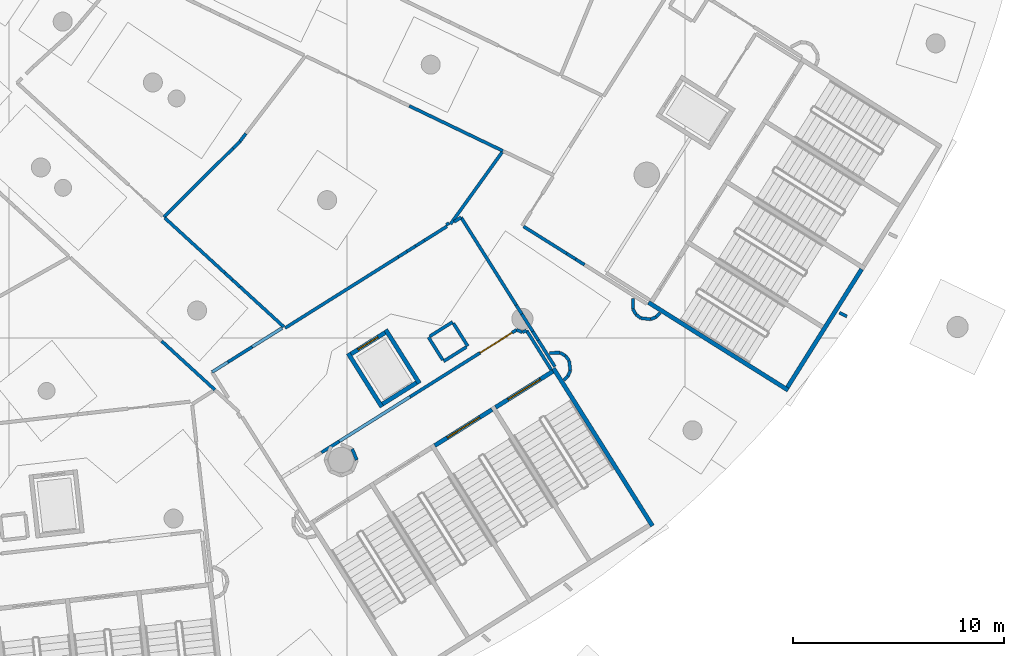
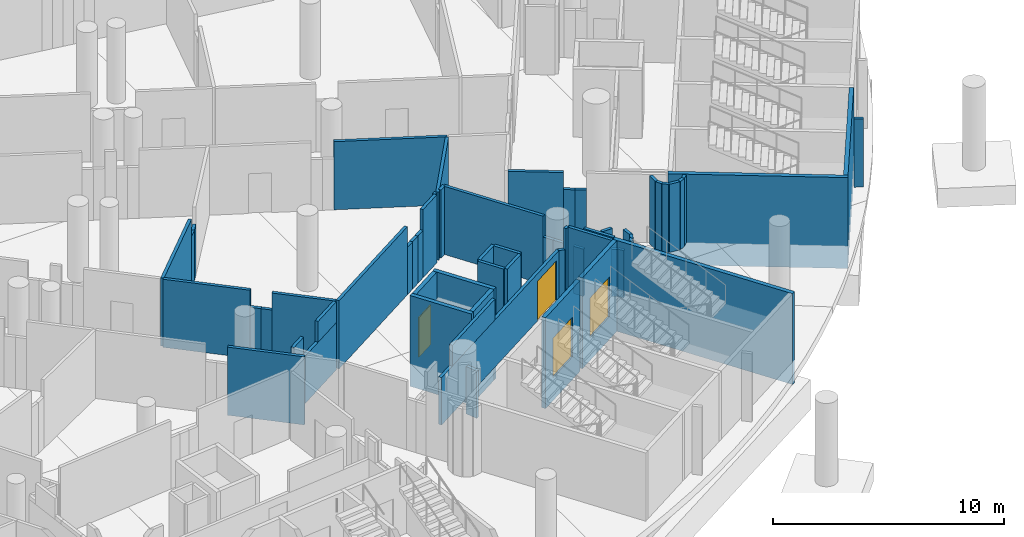
# One storey, part 57 of 142: 60 walls, 4 doors, 4 openings.
"""IFC4 building model written with IfcOpenShell, lengths in metres."""

from ifc_helpers import new_model, si_unit, direction, frame, frame_2d, origin, place, context, subcontext, project, spatial, rectangle, extrude, material, layer, layer_set, type_object, element, fill, save


model = new_model("IFC4")

# Units and contexts
model_context = context("Model", 3, precision=1e-05, world=origin(), true_north=direction((0.0, 1.0)))
body_context = subcontext(model_context, "Body", "Model", "MODEL_VIEW")
ifc_project = project(units=[si_unit("LENGTHUNIT", "METRE"), si_unit("AREAUNIT", "SQUARE_METRE"), si_unit("VOLUMEUNIT", "CUBIC_METRE"), si_unit("PLANEANGLEUNIT", "RADIAN"), si_unit("MASSUNIT", "GRAM", prefix="KILO")], contexts=[model_context])

# Site, building, storey
site_placement = place(None, origin())
site = spatial("IfcSite", under=ifc_project, at=site_placement, CompositionType="ELEMENT")
building_placement = place(site_placement, origin())
building = spatial("IfcBuilding", under=site, at=building_placement, Name="Meseta Stadium", CompositionType="ELEMENT")
storey_placement = place(building_placement, frame((0.0, 0.0, -4.0)))
storey = spatial("IfcBuildingStorey", under=building, at=storey_placement, Name="B1", CompositionType="ELEMENT", Elevation=-4.0)

# Wall
ifc_material_1 = material(Name="Concrete C40/50", Category="concrete")
ifc_layer_1 = layer(ifc_material_1, 0.199951171875)
ifc_layer_set_1 = layer_set([ifc_layer_1], Name="Core shaft wall 200")
wall_type_1 = type_object("IfcWallType", Name="Core shaft wall 200", PredefinedType="SHEAR", material=ifc_layer_set_1)
wall_1_placement = place(storey_placement, frame((78.4658203125, -88.8876953125, -1.199951171875), z_axis=(0.0, 0.0, 1.0), x_axis=(-0.532032334759, 0.846724036963, 0.0)))
element("IfcWall", 1, at=wall_1_placement, inside=storey, type_object=wall_type_1, Name="Core 27 B1 stair wall B-side", PredefinedType="SHEAR", context=body_context, shape_type="SweptSolid", body=[
    extrude(rectangle(XDim=8.800048828125, YDim=0.199951171875, at=frame_2d((4.39990234375, 0.0))), origin(), (0.0, 0.0, 1.0), 4.800048828125),
])

# Wall, opening, door
wall_2_placement = place(storey_placement, frame((68.1640625, -85.0859375, -1.199951171875), z_axis=(0.0, 0.0, 1.0), x_axis=(0.84670136309, 0.53206841829, 0.0)))
wall_2 = element("IfcWall", 2, at=wall_2_placement, inside=storey, type_object=wall_type_1, Name="Core 27 B1 stair B1 inner end wall", PredefinedType="SHEAR", context=body_context, shape_type="SweptSolid", body=[
    extrude(rectangle(XDim=3.199951171875, YDim=0.199951171875, at=frame_2d((1.60009765625, 0.0))), origin(), (0.0, 0.0, 1.0), 4.800048828125),
])
opening_1_placement = place(wall_2_placement, frame((0.699951171875, 0.0, 1.199951171875)))
opening_1 = element("IfcOpeningElement", 3, at=opening_1_placement, cuts=wall_2, Name="Opening D355", PredefinedType="OPENING", context=body_context, shape_type="SweptSolid", body=[
    extrude(rectangle(XDim=1.800048828125, YDim=2.10009765625, at=frame_2d((0.89990234375, 1.050048828125))), frame((0.0, 0.10986328125, 0.0), z_axis=(0.0, -1.0, 0.0), x_axis=(1.0, 0.0, 0.0)), (0.0, 0.0, 1.0), 0.219970703125),
])
ifc_material_2 = material(Name="Steel", Category="steel")
door_type_1 = type_object("IfcDoorType", Name="Stair door 1800x2100", OperationType="DOUBLE_DOOR_SINGLE_SWING", PredefinedType="DOOR", material=ifc_material_2)
door_1_placement = place(opening_1_placement, origin())
door_1 = element("IfcDoor", 4, at=door_1_placement, inside=storey, type_object=door_type_1, Name="Stair B1 door 27 B1", OperationType="DOUBLE_DOOR_SINGLE_SWING", OverallHeight=2.10009765625, OverallWidth=1.800048828125, PredefinedType="DOOR", context=body_context, shape_type="SweptSolid", body=[
    extrude(rectangle(XDim=1.800048828125, YDim=2.10009765625, at=frame_2d((0.89990234375, 1.050048828125))), frame((0.0, 0.02490234375, 0.0), z_axis=(0.0, -1.0, 0.0), x_axis=(1.0, 0.0, 0.0)), (0.0, 0.0, 1.0), 0.050048828125),
])
fill(opening_1, door_1)

wall_3_placement = place(storey_placement, frame((71.04296875, -83.27685546875, -1.199951171875), z_axis=(0.0, 0.0, 1.0), x_axis=(0.846735733015, 0.532013720158, 0.0)))
wall_3 = element("IfcWall", 5, at=wall_3_placement, inside=storey, type_object=wall_type_1, Name="Core 27 B1 stair B2 inner end wall", PredefinedType="SHEAR", context=body_context, shape_type="SweptSolid", body=[
    extrude(rectangle(XDim=3.199951171875, YDim=0.199951171875, at=frame_2d((1.60009765625, 0.0))), origin(), (0.0, 0.0, 1.0), 4.800048828125),
])
opening_2_placement = place(wall_3_placement, frame((0.699951171875, 0.0, 1.199951171875)))
opening_2 = element("IfcOpeningElement", 6, at=opening_2_placement, cuts=wall_3, Name="Opening D356", PredefinedType="OPENING", context=body_context, shape_type="SweptSolid", body=[
    extrude(rectangle(XDim=1.800048828125, YDim=2.10009765625, at=frame_2d((0.89990234375, 1.050048828125))), frame((0.0, 0.10986328125, 0.0), z_axis=(0.0, -1.0, 0.0), x_axis=(1.0, 0.0, 0.0)), (0.0, 0.0, 1.0), 0.219970703125),
])
door_2_placement = place(opening_2_placement, origin())
door_2 = element("IfcDoor", 7, at=door_2_placement, inside=storey, type_object=door_type_1, Name="Stair B2 door 27 B1", OperationType="DOUBLE_DOOR_SINGLE_SWING", OverallHeight=2.10009765625, OverallWidth=1.800048828125, PredefinedType="DOOR", context=body_context, shape_type="SweptSolid", body=[
    extrude(rectangle(XDim=1.800048828125, YDim=2.10009765625, at=frame_2d((0.89990234375, 1.050048828125))), frame((0.0, 0.02490234375, 0.0), z_axis=(0.0, -1.0, 0.0), x_axis=(1.0, 0.0, 0.0)), (0.0, 0.0, 1.0), 0.050048828125),
])
fill(opening_2, door_2)

# Walls
wall_4_placement = place(storey_placement, frame((65.658935546875, -83.260498046875, -1.199951171875), z_axis=(0.0, 0.0, 1.0), x_axis=(-0.532074873955, 0.846697306306, 0.0)))
element("IfcWall", 8, at=wall_4_placement, inside=storey, type_object=wall_type_1, Name="Core 27 B1 lift shaft wall left", PredefinedType="SHEAR", context=body_context, shape_type="SweptSolid", body=[
    extrude(rectangle(XDim=3.0, YDim=0.199951171875, at=frame_2d((1.5, 0.0))), origin(), (0.0, 0.0, 1.0), 4.800048828125),
])
wall_5_placement = place(storey_placement, frame((67.43701171875, -82.143310546875, -1.199951171875), z_axis=(0.0, 0.0, 1.0), x_axis=(-0.532038212918, 0.84672034344, 0.0)))
element("IfcWall", 9, at=wall_5_placement, inside=storey, type_object=wall_type_1, Name="Core 27 B1 lift shaft wall right", PredefinedType="SHEAR", context=body_context, shape_type="SweptSolid", body=[
    extrude(rectangle(XDim=3.000244140625, YDim=0.199951171875, at=frame_2d((1.5, 0.0))), origin(), (0.0, 0.0, 1.0), 4.800048828125),
])
wall_6_placement = place(storey_placement, frame((65.6904296875, -83.122802734375, -1.199951171875), z_axis=(0.0, 0.0, 1.0), x_axis=(0.846674592738, 0.532111016623, 0.0)))
element("IfcWall", 10, at=wall_6_placement, inside=storey, type_object=wall_type_1, Name="Core 27 B1 lift shaft back wall", PredefinedType="SHEAR", context=body_context, shape_type="SweptSolid", body=[
    extrude(rectangle(XDim=1.89990234375, YDim=0.199951171875, at=frame_2d((0.949951171875, 0.0))), origin(), (0.0, 0.0, 1.0), 4.800048828125),
])

# Wall, opening, door
wall_7_placement = place(storey_placement, frame((64.20068359375, -80.751708984375, -1.199951171875), z_axis=(0.0, 0.0, 1.0), x_axis=(0.846768850524, 0.531961007765, 0.0)))
wall_7 = element("IfcWall", 11, at=wall_7_placement, inside=storey, type_object=wall_type_1, Name="Core 27 B1 lift shaft front wall", PredefinedType="SHEAR", context=body_context, shape_type="SweptSolid", body=[
    extrude(rectangle(XDim=1.900146484375, YDim=0.199951171875, at=frame_2d((0.9501953125, 0.0))), origin(), (0.0, 0.0, 1.0), 4.800048828125),
])
opening_3_placement = place(wall_7_placement, frame((0.39990234375, 0.0, 1.199951171875)))
opening_3 = element("IfcOpeningElement", 12, at=opening_3_placement, cuts=wall_7, Name="Opening LD146", PredefinedType="OPENING", context=body_context, shape_type="SweptSolid", body=[
    extrude(rectangle(XDim=1.10009765625, YDim=2.10009765625, at=frame_2d((0.550048828125, 1.050048828125))), frame((0.0, 0.10986328125, 0.0), z_axis=(0.0, -1.0, 0.0), x_axis=(1.0, 0.0, 0.0)), (0.0, 0.0, 1.0), 0.219970703125),
])
ifc_material_3 = material(Name="Steel", Category="steel")
door_type_2 = type_object("IfcDoorType", Name="Lift landing door 1100x2100", OperationType="SLIDING_TO_LEFT", PredefinedType="DOOR", material=ifc_material_3)
door_3_placement = place(opening_3_placement, origin())
door_3 = element("IfcDoor", 13, at=door_3_placement, inside=storey, type_object=door_type_2, Name="Lift landing door LD146", OperationType="SLIDING_TO_RIGHT", OverallHeight=2.10009765625, OverallWidth=1.10009765625, PredefinedType="DOOR", context=body_context, shape_type="SweptSolid", body=[
    extrude(rectangle(XDim=1.10009765625, YDim=2.10009765625, at=frame_2d((0.550048828125, 1.050048828125))), frame((0.0, 0.02490234375, 0.0), z_axis=(0.0, -1.0, 0.0), x_axis=(1.0, 0.0, 0.0)), (0.0, 0.0, 1.0), 0.050048828125),
])
fill(opening_3, door_3)

# Walls
wall_8_placement = place(storey_placement, frame((84.8876953125, -82.4658203125, -1.199951171875), z_axis=(0.0, 0.0, 1.0), x_axis=(-0.846722763703, 0.532034361135, 0.0)))
element("IfcWall", 14, at=wall_8_placement, inside=storey, type_object=wall_type_1, Name="Core 28 B1 stair wall A-side", PredefinedType="SHEAR", context=body_context, shape_type="SweptSolid", body=[
    extrude(rectangle(XDim=7.800048828125, YDim=0.199951171875, at=frame_2d((3.89990234375, 0.0))), origin(), (0.0, 0.0, 1.0), 4.800048828125),
])
wall_9_placement = place(storey_placement, frame((84.856201171875, -82.327880859375, -1.199951171875), z_axis=(0.0, 0.0, 1.0), x_axis=(0.532038964807, 0.846719870989, 0.0)))
element("IfcWall", 15, at=wall_9_placement, inside=storey, type_object=wall_type_1, Name="Core 28 B1 stair A outer end wall", PredefinedType="SHEAR", context=body_context, shape_type="SweptSolid", body=[
    extrude(rectangle(XDim=6.60009765625, YDim=0.199951171875, at=frame_2d((3.300048828125, 0.0))), origin(), (0.0, 0.0, 1.0), 4.800048828125),
])
ifc_material_4 = material(Name="Masonry blockwork", Category="masonry")
ifc_layer_2 = layer(ifc_material_4, 0.14990234375)
ifc_layer_set_2 = layer_set([ifc_layer_2], Name="Partition 150")
wall_type_2 = type_object("IfcWallType", Name="Partition 150", PredefinedType="PARTITIONING", material=ifc_layer_set_2)
wall_10_placement = place(storey_placement, frame((55.23583984375, -80.14111328125, 0.0), z_axis=(0.0, 0.0, 1.0), x_axis=(0.737605282211, -0.675232143529, 0.0)))
element("IfcWall", 16, at=wall_10_placement, inside=storey, type_object=wall_type_2, Name="Partition B1 B1-cell25-2-0", PredefinedType="PARTITIONING", context=body_context, shape_type="SweptSolid", body=[
    extrude(rectangle(XDim=3.4130859375, YDim=0.14990234375, at=frame_2d((1.70654296875, 0.0))), origin(), (0.0, 0.0, 1.0), 3.60009765625),
])
wall_11_placement = place(storey_placement, frame((59.224853515625, -70.318115234375, 0.0), z_axis=(0.0, 0.0, 1.0), x_axis=(-0.607234679448, -0.794522525846, 0.0)))
element("IfcWall", 17, at=wall_11_placement, inside=storey, type_object=wall_type_2, Name="Partition B1 B1-cell26-1-0", PredefinedType="PARTITIONING", context=body_context, shape_type="SweptSolid", body=[
    extrude(rectangle(XDim=0.462646484375, YDim=0.14990234375, at=frame_2d((0.2314453125, 0.0))), origin(), (0.0, 0.0, 1.0), 2.699951171875),
])
wall_12_placement = place(storey_placement, frame((58.94384765625, -70.685791015625, 0.0), z_axis=(0.0, 0.0, 1.0), x_axis=(-0.707898761155, -0.706313913182, 0.0)))
element("IfcWall", 18, at=wall_12_placement, inside=storey, type_object=wall_type_2, Name="Partition B1 B1-cell26-1-0", PredefinedType="PARTITIONING", context=body_context, shape_type="SweptSolid", body=[
    extrude(rectangle(XDim=0.462158203125, YDim=0.14990234375, at=frame_2d((0.23095703125, 0.0))), origin(), (0.0, 0.0, 1.0), 2.699951171875),
])
wall_13_placement = place(storey_placement, frame((58.61669921875, -71.01220703125, 0.0), z_axis=(0.0, 0.0, 1.0), x_axis=(-0.707977942718, -0.706234545052, 0.0)))
element("IfcWall", 19, at=wall_13_placement, inside=storey, type_object=wall_type_2, Name="Partition B1 B1-cell26-1-0", PredefinedType="PARTITIONING", context=body_context, shape_type="SweptSolid", body=[
    extrude(rectangle(XDim=4.621337890625, YDim=0.14990234375, at=frame_2d((2.310546875, 0.0))), origin(), (0.0, 0.0, 1.0), 3.60009765625),
])
wall_14_placement = place(storey_placement, frame((66.9580078125, -69.01123046875, 0.0), z_axis=(0.0, 0.0, 1.0), x_axis=(0.901198388505, -0.433406811848, 0.0)))
element("IfcWall", 20, at=wall_14_placement, inside=storey, type_object=wall_type_2, Name="Partition B1 B1-cell26-2-0", PredefinedType="PARTITIONING", context=body_context, shape_type="SweptSolid", body=[
    extrude(rectangle(XDim=4.92041015625, YDim=0.14990234375, at=frame_2d((2.460205078125, 0.0))), origin(), (0.0, 0.0, 1.0), 3.60009765625),
])
wall_15_placement = place(storey_placement, frame((71.347900390625, -71.20556640625, 0.0), z_axis=(0.0, 0.0, 1.0), x_axis=(-0.583304436704, -0.812253614409, 0.0)))
element("IfcWall", 21, at=wall_15_placement, inside=storey, type_object=wall_type_2, Name="Partition B1 B1-cell26-2-0", PredefinedType="PARTITIONING", context=body_context, shape_type="SweptSolid", body=[
    extrude(rectangle(XDim=4.1875, YDim=0.14990234375, at=frame_2d((2.09375, 0.0))), origin(), (0.0, 0.0, 1.0), 3.60009765625),
])
wall_16_placement = place(storey_placement, frame((68.737060546875, -74.712646484375, 0.0), z_axis=(0.0, 0.0, 1.0), x_axis=(-0.846733767691, -0.53201684809, 0.0)))
element("IfcWall", 22, at=wall_16_placement, inside=storey, type_object=wall_type_2, Name="Partition B1 B1-cell26-2-0", PredefinedType="PARTITIONING", context=body_context, shape_type="SweptSolid", body=[
    extrude(rectangle(XDim=1.260498046875, YDim=0.14990234375, at=frame_2d((0.63037109375, 0.0))), origin(), (0.0, 0.0, 1.0), 3.60009765625),
])
for number, where, z_axis, x_axis, name in (
    (23, (67.669677734375, -75.38330078125, 0.0), (0.0, 0.0, 1.0), (-0.846868970519, -0.53180160471, 0.0), "Partition B1 B1-cell26-2-0"),
    (24, (67.257568359375, -75.64208984375, 0.0), (0.0, 0.0, 1.0), (-0.846500874068, -0.532387330993, 0.0), "Partition B1 B1-cell26-2-0"),
):
    element("IfcWall", number, at=place(storey_placement, frame(where, z_axis=z_axis, x_axis=x_axis)), inside=storey, type_object=wall_type_2, Name=name, PredefinedType="PARTITIONING", context=body_context, shape_type="SweptSolid", body=[
        extrude(rectangle(XDim=0.486572265625, YDim=0.14990234375, at=frame_2d((0.2431640625, 0.0))), origin(), (0.0, 0.0, 1.0), 2.5),
    ])
wall_17_placement = place(storey_placement, frame((66.845703125, -75.901123046875, 0.0), z_axis=(0.0, 0.0, 1.0), x_axis=(-0.846726992897, -0.532027630392, 0.0)))
element("IfcWall", 25, at=wall_17_placement, inside=storey, type_object=wall_type_2, Name="Partition B1 B1-cell26-2-0", PredefinedType="PARTITIONING", context=body_context, shape_type="SweptSolid", body=[
    extrude(rectangle(XDim=0.486328125, YDim=0.14990234375, at=frame_2d((0.2431640625, 0.0))), origin(), (0.0, 0.0, 1.0), 2.5),
])
wall_18_placement = place(storey_placement, frame((66.433837890625, -76.159912109375, 0.0), z_axis=(0.0, 0.0, 1.0), x_axis=(-0.846724993081, -0.532030813105, 0.0)))
element("IfcWall", 26, at=wall_18_placement, inside=storey, type_object=wall_type_2, Name="Partition B1 B1-cell26-2-0", PredefinedType="PARTITIONING", context=body_context, shape_type="SweptSolid", body=[
    extrude(rectangle(XDim=6.324462890625, YDim=0.14990234375, at=frame_2d((3.162109375, 0.0))), origin(), (0.0, 0.0, 1.0), 3.60009765625),
])
wall_19_placement = place(storey_placement, frame((61.021484375, -79.47216796875, 0.0), z_axis=(0.0, 0.0, 1.0), x_axis=(-0.737642932996, 0.67519101253, 0.0)))
element("IfcWall", 27, at=wall_19_placement, inside=storey, type_object=wall_type_2, Name="Partition B1 B1-cell26-2-0", PredefinedType="PARTITIONING", context=body_context, shape_type="SweptSolid", body=[
    extrude(rectangle(XDim=2.818603515625, YDim=0.14990234375, at=frame_2d((1.4091796875, 0.0))), origin(), (0.0, 0.0, 1.0), 3.60009765625),
])
wall_20_placement = place(storey_placement, frame((58.9423828125, -77.569091796875, 0.0), z_axis=(0.0, 0.0, 1.0), x_axis=(-0.737531982112, 0.675312205844, 0.0)))
element("IfcWall", 28, at=wall_20_placement, inside=storey, type_object=wall_type_2, Name="Partition B1 B1-cell26-2-0", PredefinedType="PARTITIONING", context=body_context, shape_type="SweptSolid", body=[
    extrude(rectangle(XDim=0.482666015625, YDim=0.14990234375, at=frame_2d((0.2412109375, 0.0))), origin(), (0.0, 0.0, 1.0), 2.699951171875),
])
wall_21_placement = place(storey_placement, frame((58.58642578125, -77.2431640625, 0.0), z_axis=(0.0, 0.0, 1.0), x_axis=(-0.737762545062, 0.675060313679, 0.0)))
element("IfcWall", 29, at=wall_21_placement, inside=storey, type_object=wall_type_2, Name="Partition B1 B1-cell26-2-0", PredefinedType="PARTITIONING", context=body_context, shape_type="SweptSolid", body=[
    extrude(rectangle(XDim=0.48291015625, YDim=0.14990234375, at=frame_2d((0.241455078125, 0.0))), origin(), (0.0, 0.0, 1.0), 2.699951171875),
])
wall_22_placement = place(storey_placement, frame((58.230224609375, -76.917236328125, 0.0), z_axis=(0.0, 0.0, 1.0), x_axis=(-0.737586985775, 0.675252129516, 0.0)))
element("IfcWall", 30, at=wall_22_placement, inside=storey, type_object=wall_type_2, Name="Partition B1 B1-cell26-2-0", PredefinedType="PARTITIONING", context=body_context, shape_type="SweptSolid", body=[
    extrude(rectangle(XDim=3.86181640625, YDim=0.14990234375, at=frame_2d((1.930908203125, 0.0))), origin(), (0.0, 0.0, 1.0), 3.60009765625),
])
wall_23_placement = place(storey_placement, frame((73.847412109375, -81.349609375, 0.0), z_axis=(0.0, 0.0, 1.0), x_axis=(-0.532025444809, 0.846728366169, 0.0)))
element("IfcWall", 31, at=wall_23_placement, inside=storey, type_object=wall_type_2, Name="Partition B1 B1-cell26-3-0", PredefinedType="PARTITIONING", context=body_context, shape_type="SweptSolid", body=[
    extrude(rectangle(XDim=1.4716796875, YDim=0.14990234375, at=frame_2d((0.73583984375, 0.0))), origin(), (0.0, 0.0, 1.0), 3.60009765625),
])
wall_24_placement = place(storey_placement, frame((73.064453125, -80.103515625, 0.0), z_axis=(0.0, 0.0, 1.0), x_axis=(-0.532100185812, 0.8466813995, 0.0)))
element("IfcWall", 32, at=wall_24_placement, inside=storey, type_object=wall_type_2, Name="Partition B1 B1-cell26-3-0", PredefinedType="PARTITIONING", context=body_context, shape_type="SweptSolid", body=[
    extrude(rectangle(XDim=0.490478515625, YDim=0.14990234375, at=frame_2d((0.2451171875, 0.0))), origin(), (0.0, 0.0, 1.0), 2.5),
])
wall_25_placement = place(storey_placement, frame((72.803466796875, -79.688232421875, 0.0), z_axis=(0.0, 0.0, 1.0), x_axis=(-0.532100185812, 0.8466813995, 0.0)))
element("IfcWall", 33, at=wall_25_placement, inside=storey, type_object=wall_type_2, Name="Partition B1 B1-cell26-3-0", PredefinedType="PARTITIONING", context=body_context, shape_type="SweptSolid", body=[
    extrude(rectangle(XDim=0.98095703125, YDim=0.14990234375, at=frame_2d((0.490478515625, 0.0))), origin(), (0.0, 0.0, 1.0), 2.5),
])
wall_26_placement = place(storey_placement, frame((72.281494140625, -78.857666015625, 0.0), z_axis=(0.0, 0.0, 1.0), x_axis=(-0.532100185812, 0.8466813995, 0.0)))
element("IfcWall", 34, at=wall_26_placement, inside=storey, type_object=wall_type_2, Name="Partition B1 B1-cell26-3-0", PredefinedType="PARTITIONING", context=body_context, shape_type="SweptSolid", body=[
    extrude(rectangle(XDim=0.490478515625, YDim=0.14990234375, at=frame_2d((0.2451171875, 0.0))), origin(), (0.0, 0.0, 1.0), 2.5),
])
wall_27_placement = place(storey_placement, frame((72.0205078125, -78.4423828125, 0.0), z_axis=(0.0, 0.0, 1.0), x_axis=(-0.532042078101, 0.846717914733, 0.0)))
element("IfcWall", 35, at=wall_27_placement, inside=storey, type_object=wall_type_2, Name="Partition B1 B1-cell26-3-0", PredefinedType="PARTITIONING", context=body_context, shape_type="SweptSolid", body=[
    extrude(rectangle(XDim=4.905029296875, YDim=0.14990234375, at=frame_2d((2.45263671875, 0.0))), origin(), (0.0, 0.0, 1.0), 3.60009765625),
])
wall_28_placement = place(storey_placement, frame((69.410888671875, -74.289306640625, 0.0), z_axis=(0.0, 0.0, 1.0), x_axis=(-0.84669301854, -0.532081697069, 0.0)))
element("IfcWall", 36, at=wall_28_placement, inside=storey, type_object=wall_type_2, Name="Partition B1 B1-cell26-3-0", PredefinedType="PARTITIONING", context=body_context, shape_type="SweptSolid", body=[
    extrude(rectangle(XDim=0.3896484375, YDim=0.14990234375, at=frame_2d((0.19482421875, 0.0))), origin(), (0.0, 0.0, 1.0), 3.60009765625),
])
wall_29_placement = place(storey_placement, frame((72.366455078125, -74.71630859375, 0.0), z_axis=(0.0, 0.0, 1.0), x_axis=(0.846749951858, -0.531991089237, 0.0)))
element("IfcWall", 37, at=wall_29_placement, inside=storey, type_object=wall_type_2, Name="Partition B1 B1-cell26-3-0", PredefinedType="PARTITIONING", context=body_context, shape_type="SweptSolid", body=[
    extrude(rectangle(XDim=2.41064453125, YDim=0.14990234375, at=frame_2d((1.205322265625, 0.0))), origin(), (0.0, 0.0, 1.0), 3.60009765625),
])
for number, where, z_axis, x_axis, name in (
    (38, (74.40771484375, -75.998779296875, 0.0), (0.0, 0.0, 1.0), (0.846781943841, -0.531940165418, 0.0), "Partition B1 B1-cell26-3-0"),
    (39, (74.82861328125, -76.26318359375, 0.0), (0.0, 0.0, 1.0), (0.846560685875, -0.532292217801, 0.0), "Partition B1 B1-cell26-3-0"),
):
    element("IfcWall", number, at=place(storey_placement, frame(where, z_axis=z_axis, x_axis=x_axis)), inside=storey, type_object=wall_type_2, Name=name, PredefinedType="PARTITIONING", context=body_context, shape_type="SweptSolid", body=[
        extrude(rectangle(XDim=0.4970703125, YDim=0.14990234375, at=frame_2d((0.24853515625, 0.0))), origin(), (0.0, 0.0, 1.0), 2.699951171875),
    ])
wall_30_placement = place(storey_placement, frame((87.309814453125, -78.798828125, 0.0), z_axis=(0.0, 0.0, 1.0), x_axis=(0.901266152866, -0.433265878761, 0.0)))
element("IfcWall", 40, at=wall_30_placement, inside=storey, type_object=wall_type_2, Name="Partition B1 B1-cell26-3-0", PredefinedType="PARTITIONING", context=body_context, shape_type="SweptSolid", body=[
    extrude(rectangle(XDim=0.400634765625, YDim=0.14990234375, at=frame_2d((0.2001953125, 0.0))), origin(), (0.0, 0.0, 1.0), 3.60009765625),
])
for number, where, z_axis, x_axis, name in (
    (41, (68.58203125, -81.09912109375, 0.0), (0.0, 0.0, 1.0), (0.846683377265, 0.532097038765, 0.0), "Pressurisation shaft wall B1 core 27"),
    (42, (69.72509765625, -80.380859375, 0.0), (0.0, 0.0, 1.0), (-0.532097038765, 0.846683377265, 0.0), "Pressurisation shaft wall B1 core 27"),
):
    element("IfcWall", number, at=place(storey_placement, frame(where, z_axis=z_axis, x_axis=x_axis)), inside=storey, type_object=wall_type_2, Name=name, PredefinedType="PARTITIONING", context=body_context, shape_type="SweptSolid", body=[
        extrude(rectangle(XDim=1.275146484375, YDim=0.14990234375, at=frame_2d((0.6376953125, 0.0))), origin(), (0.0, 0.0, 1.0), 3.60009765625),
    ])
for number, where, z_axis, x_axis, name in (
    (43, (69.0068359375, -79.23779296875, 0.0), (0.0, 0.0, 1.0), (-0.846769635862, -0.531959757672, 0.0), "Pressurisation shaft wall B1 core 27"),
    (44, (67.86376953125, -79.9560546875, 0.0), (0.0, 0.0, 1.0), (0.531959757672, -0.846769635862, 0.0), "Pressurisation shaft wall B1 core 27"),
):
    element("IfcWall", number, at=place(storey_placement, frame(where, z_axis=z_axis, x_axis=x_axis)), inside=storey, type_object=wall_type_2, Name=name, PredefinedType="PARTITIONING", context=body_context, shape_type="SweptSolid", body=[
        extrude(rectangle(XDim=1.27490234375, YDim=0.14990234375, at=frame_2d((0.637451171875, 0.0))), origin(), (0.0, 0.0, 1.0), 3.60009765625),
    ])
wall_31_placement = place(storey_placement, frame((73.672607421875, -81.49462890625, 0.0), z_axis=(0.0, 0.0, 1.0), x_axis=(-0.532043564192, 0.846716980934, 0.0)))
element("IfcWall", 45, at=wall_31_placement, inside=storey, type_object=wall_type_2, Name="Stair vestibule wall B1 core 27", PredefinedType="PARTITIONING", context=body_context, shape_type="SweptSolid", body=[
    extrude(rectangle(XDim=2.18798828125, YDim=0.14990234375, at=frame_2d((1.093994140625, 0.0))), origin(), (0.0, 0.0, 1.0), 3.60009765625),
])
wall_32_placement = place(storey_placement, frame((72.508544921875, -79.64208984375, 0.0), z_axis=(0.0, 0.0, 1.0), x_axis=(-0.924058780532, -0.382250402382, 0.0)))
element("IfcWall", 46, at=wall_32_placement, inside=storey, type_object=wall_type_2, Name="Stair vestibule wall B1 core 27", PredefinedType="PARTITIONING", context=body_context, shape_type="SweptSolid", body=[
    extrude(rectangle(XDim=0.212646484375, YDim=0.14990234375, at=frame_2d((0.1064453125, 0.0))), origin(), (0.0, 0.0, 1.0), 3.60009765625),
])
wall_33_placement = place(storey_placement, frame((72.31201171875, -79.723388671875, 0.0), z_axis=(0.0, 0.0, 1.0), x_axis=(-0.923855963606, 0.38274032778, 0.0)))
element("IfcWall", 47, at=wall_33_placement, inside=storey, type_object=wall_type_2, Name="Stair vestibule wall B1 core 27", PredefinedType="PARTITIONING", context=body_context, shape_type="SweptSolid", body=[
    extrude(rectangle(XDim=0.2958984375, YDim=0.14990234375, at=frame_2d((0.14794921875, 0.0))), origin(), (0.0, 0.0, 1.0), 2.5),
])

# Wall, opening, door
wall_34_placement = place(storey_placement, frame((72.03857421875, -79.610107421875, 0.0), z_axis=(0.0, 0.0, 1.0), x_axis=(-0.846722109963, -0.532035401547, 0.0)))
wall_34 = element("IfcWall", 48, at=wall_34_placement, inside=storey, type_object=wall_type_2, Name="Stair vestibule wall B1 core 27", PredefinedType="PARTITIONING", context=body_context, shape_type="SweptSolid", body=[
    extrude(rectangle(XDim=10.907958984375, YDim=0.14990234375, at=frame_2d((5.4541015625, 0.0))), origin(), (0.0, 0.0, 1.0), 2.5),
])
opening_4_placement = place(wall_34_placement, frame((0.25, 0.0, 0.0)))
opening_4 = element("IfcOpeningElement", 49, at=opening_4_placement, cuts=wall_34, Name="Opening D742", PredefinedType="OPENING", context=body_context, shape_type="SweptSolid", body=[
    extrude(rectangle(XDim=1.800048828125, YDim=2.10009765625, at=frame_2d((0.89990234375, 1.050048828125))), frame((0.0, 0.0849609375, 0.0), z_axis=(0.0, -1.0, 0.0), x_axis=(1.0, 0.0, 0.0)), (0.0, 0.0, 1.0), 0.169921875),
])
ifc_material_5 = material(Name="Steel", Category="steel")
door_type_3 = type_object("IfcDoorType", Name="Fire double door 1800x2100 EI2 60", OperationType="DOUBLE_DOOR_SINGLE_SWING", PredefinedType="DOOR", material=ifc_material_5)
door_4_placement = place(opening_4_placement, origin())
door_4 = element("IfcDoor", 50, at=door_4_placement, inside=storey, type_object=door_type_3, Name="Stair vestibule door B1 core 27", OperationType="DOUBLE_DOOR_SINGLE_SWING", OverallHeight=2.10009765625, OverallWidth=1.800048828125, PredefinedType="DOOR", context=body_context, shape_type="SweptSolid", body=[
    extrude(rectangle(XDim=1.800048828125, YDim=2.10009765625, at=frame_2d((0.89990234375, 1.050048828125))), frame((0.0, 0.02490234375, 0.0), z_axis=(0.0, -1.0, 0.0), x_axis=(1.0, 0.0, 0.0)), (0.0, 0.0, 1.0), 0.050048828125),
])
fill(opening_4, door_4)

# Walls
wall_35_placement = place(storey_placement, frame((67.000732421875, -82.775634765625, 2.5), z_axis=(0.0, 0.0, 1.0), x_axis=(-0.846726861413, -0.532027839649, 0.0)))
element("IfcWall", 51, at=wall_35_placement, inside=storey, type_object=wall_type_2, Name="Stair vestibule wall B1 core 27", PredefinedType="PARTITIONING", context=body_context, shape_type="SweptSolid", body=[
    extrude(rectangle(XDim=3.966552734375, YDim=0.14990234375, at=frame_2d((1.9833984375, 0.0))), origin(), (0.0, 0.0, 1.0), 1.10009765625),
])
wall_36_placement = place(storey_placement, frame((64.2548828125, -85.24755859375, 0.0), z_axis=(0.0, 0.0, 1.0), x_axis=(0.382656259044, -0.923890787601, 0.0)))
element("IfcWall", 52, at=wall_36_placement, inside=storey, type_object=wall_type_2, Name="Stair vestibule wall B1 core 27", PredefinedType="PARTITIONING", context=body_context, shape_type="SweptSolid", body=[
    extrude(rectangle(XDim=0.566650390625, YDim=0.14990234375, at=frame_2d((0.283203125, 0.0))), origin(), (0.0, 0.0, 1.0), 2.5),
])
wall_37_placement = place(storey_placement, frame((68.840576171875, -74.55908203125, 0.0), z_axis=(0.0, 0.0, 1.0), x_axis=(-0.846616804934, -0.532202955275, 0.0)))
element("IfcWall", 53, at=wall_37_placement, inside=storey, type_object=wall_type_2, Name="Stair vestibule wall B1 core 27", PredefinedType="PARTITIONING", context=body_context, shape_type="SweptSolid", body=[
    extrude(rectangle(XDim=0.1591796875, YDim=0.14990234375, at=frame_2d((0.07958984375, 0.0))), origin(), (0.0, 0.0, 1.0), 3.60009765625),
])
wall_38_placement = place(storey_placement, frame((60.937255859375, -79.525146484375, 0.0), z_axis=(0.0, 0.0, 1.0), x_axis=(-0.846734487447, -0.532015702558, 0.0)))
element("IfcWall", 54, at=wall_38_placement, inside=storey, type_object=wall_type_2, Name="Stair vestibule wall B1 core 27", PredefinedType="PARTITIONING", context=body_context, shape_type="SweptSolid", body=[
    extrude(rectangle(XDim=3.914306640625, YDim=0.14990234375, at=frame_2d((1.95703125, 0.0))), origin(), (0.0, 0.0, 1.0), 2.5),
])
wall_39_placement = place(storey_placement, frame((60.937255859375, -79.525146484375, 2.5), z_axis=(0.0, 0.0, 1.0), x_axis=(-0.846737633906, -0.532010694749, 0.0)))
element("IfcWall", 55, at=wall_39_placement, inside=storey, type_object=wall_type_2, Name="Stair vestibule wall B1 core 27", PredefinedType="PARTITIONING", context=body_context, shape_type="SweptSolid", body=[
    extrude(rectangle(XDim=1.6787109375, YDim=0.14990234375, at=frame_2d((0.83935546875, 0.0))), origin(), (0.0, 0.0, 1.0), 1.10009765625),
])
wall_40_placement = place(storey_placement, frame((58.380126953125, -81.1318359375, 2.5), z_axis=(0.0, 0.0, 1.0), x_axis=(-0.846738436485, -0.532009417379, 0.0)))
element("IfcWall", 56, at=wall_40_placement, inside=storey, type_object=wall_type_2, Name="Stair vestibule wall B1 core 27", PredefinedType="PARTITIONING", context=body_context, shape_type="SweptSolid", body=[
    extrude(rectangle(XDim=0.894287109375, YDim=0.14990234375, at=frame_2d((0.447265625, 0.0))), origin(), (0.0, 0.0, 1.0), 1.10009765625),
])
wall_41_placement = place(storey_placement, frame((74.28076171875, -81.986083984375, 0.0), z_axis=(0.0, 0.0, 1.0), x_axis=(0.701396909606, 0.712770913545, 0.0)))
element("IfcWall", 57, at=wall_41_placement, inside=storey, type_object=wall_type_2, Name="Stair vestibule wall B1 core 27", PredefinedType="PARTITIONING", context=body_context, shape_type="SweptSolid", body=[
    extrude(rectangle(XDim=0.257568359375, YDim=0.14990234375, at=frame_2d((0.12890625, 0.0))), origin(), (0.0, 0.0, 1.0), 3.60009765625),
])
wall_42_placement = place(storey_placement, frame((74.46142578125, -81.802490234375, 0.0), z_axis=(0.0, 0.0, 1.0), x_axis=(0.40881235889, 0.912618460924, 0.0)))
element("IfcWall", 58, at=wall_42_placement, inside=storey, type_object=wall_type_2, Name="Stair vestibule wall B1 core 27", PredefinedType="PARTITIONING", context=body_context, shape_type="SweptSolid", body=[
    extrude(rectangle(XDim=0.287841796875, YDim=0.14990234375, at=frame_2d((0.14404296875, 0.0))), origin(), (0.0, 0.0, 1.0), 3.60009765625),
])
wall_43_placement = place(storey_placement, frame((74.5791015625, -81.539794921875, 0.0), z_axis=(0.0, 0.0, 1.0), x_axis=(-0.118643235326, 0.992936948004, 0.0)))
element("IfcWall", 59, at=wall_43_placement, inside=storey, type_object=wall_type_2, Name="Stair vestibule wall B1 core 27", PredefinedType="PARTITIONING", context=body_context, shape_type="SweptSolid", body=[
    extrude(rectangle(XDim=0.4794921875, YDim=0.14990234375, at=frame_2d((0.23974609375, 0.0))), origin(), (0.0, 0.0, 1.0), 3.60009765625),
])
wall_44_placement = place(storey_placement, frame((74.522216796875, -81.063720703125, 0.0), z_axis=(0.0, 0.0, 1.0), x_axis=(-0.611951854229, 0.79089501712, 0.0)))
element("IfcWall", 60, at=wall_44_placement, inside=storey, type_object=wall_type_2, Name="Stair vestibule wall B1 core 27", PredefinedType="PARTITIONING", context=body_context, shape_type="SweptSolid", body=[
    extrude(rectangle(XDim=0.289306640625, YDim=0.14990234375, at=frame_2d((0.14453125, 0.0))), origin(), (0.0, 0.0, 1.0), 2.5),
])
wall_45_placement = place(storey_placement, frame((74.34521484375, -80.8349609375, 0.0), z_axis=(0.0, 0.0, 1.0), x_axis=(-0.868450612232, 0.495775689313, 0.0)))
element("IfcWall", 61, at=wall_45_placement, inside=storey, type_object=wall_type_2, Name="Stair vestibule wall B1 core 27", PredefinedType="PARTITIONING", context=body_context, shape_type="SweptSolid", body=[
    extrude(rectangle(XDim=0.28955078125, YDim=0.14990234375, at=frame_2d((0.144775390625, 0.0))), origin(), (0.0, 0.0, 1.0), 2.5),
])
for number, where, z_axis, x_axis, name in (
    (62, (74.09375, -80.69140625, 0.0), (0.0, 0.0, 1.0), (-0.999737027421, -0.022931986476, 0.0), "Stair vestibule wall B1 core 27"),
    (63, (77.549560546875, -78.12548828125, 0.0), (0.0, 0.0, 1.0), (-0.022931986476, -0.999737027421, 0.0), "Stair vestibule wall B1 core 28"),
):
    element("IfcWall", number, at=place(storey_placement, frame(where, z_axis=z_axis, x_axis=x_axis)), inside=storey, type_object=wall_type_2, Name=name, PredefinedType="PARTITIONING", context=body_context, shape_type="SweptSolid", body=[
        extrude(rectangle(XDim=0.50048828125, YDim=0.14990234375, at=frame_2d((0.250244140625, 0.0))), origin(), (0.0, 0.0, 1.0), 3.60009765625),
    ])
for number, where, z_axis, x_axis, name in (
    (64, (77.5380859375, -78.625732421875, 0.0), (0.0, 0.0, 1.0), (0.496138938357, -0.868243142124, 0.0), "Stair vestibule wall B1 core 28"),
    (65, (77.681640625, -78.876953125, 0.0), (0.0, 0.0, 1.0), (0.790486530167, -0.612479424654, 0.0), "Stair vestibule wall B1 core 28"),
):
    element("IfcWall", number, at=place(storey_placement, frame(where, z_axis=z_axis, x_axis=x_axis)), inside=storey, type_object=wall_type_2, Name=name, PredefinedType="PARTITIONING", context=body_context, shape_type="SweptSolid", body=[
        extrude(rectangle(XDim=0.289306640625, YDim=0.14990234375, at=frame_2d((0.14453125, 0.0))), origin(), (0.0, 0.0, 1.0), 3.60009765625),
    ])
wall_46_placement = place(storey_placement, frame((77.910400390625, -79.05419921875, 0.0), z_axis=(0.0, 0.0, 1.0), x_axis=(0.992936948004, -0.118643235326, 0.0)))
element("IfcWall", 66, at=wall_46_placement, inside=storey, type_object=wall_type_2, Name="Stair vestibule wall B1 core 28", PredefinedType="PARTITIONING", context=body_context, shape_type="SweptSolid", body=[
    extrude(rectangle(XDim=0.4794921875, YDim=0.14990234375, at=frame_2d((0.23974609375, 0.0))), origin(), (0.0, 0.0, 1.0), 3.60009765625),
])
wall_47_placement = place(storey_placement, frame((78.386474609375, -79.111083984375, 0.0), z_axis=(0.0, 0.0, 1.0), x_axis=(0.913075882038, 0.407789692906, 0.0)))
element("IfcWall", 67, at=wall_47_placement, inside=storey, type_object=wall_type_2, Name="Stair vestibule wall B1 core 28", PredefinedType="PARTITIONING", context=body_context, shape_type="SweptSolid", body=[
    extrude(rectangle(XDim=0.2880859375, YDim=0.14990234375, at=frame_2d((0.14404296875, 0.0))), origin(), (0.0, 0.0, 1.0), 3.60009765625),
])
wall_48_placement = place(storey_placement, frame((78.6494140625, -78.99365234375, 0.0), z_axis=(0.0, 0.0, 1.0), x_axis=(0.712770913545, 0.701396909606, 0.0)))
element("IfcWall", 68, at=wall_48_placement, inside=storey, type_object=wall_type_2, Name="Stair vestibule wall B1 core 28", PredefinedType="PARTITIONING", context=body_context, shape_type="SweptSolid", body=[
    extrude(rectangle(XDim=0.257568359375, YDim=0.14990234375, at=frame_2d((0.12890625, 0.0))), origin(), (0.0, 0.0, 1.0), 3.60009765625),
])

save(model, "model.ifc")
